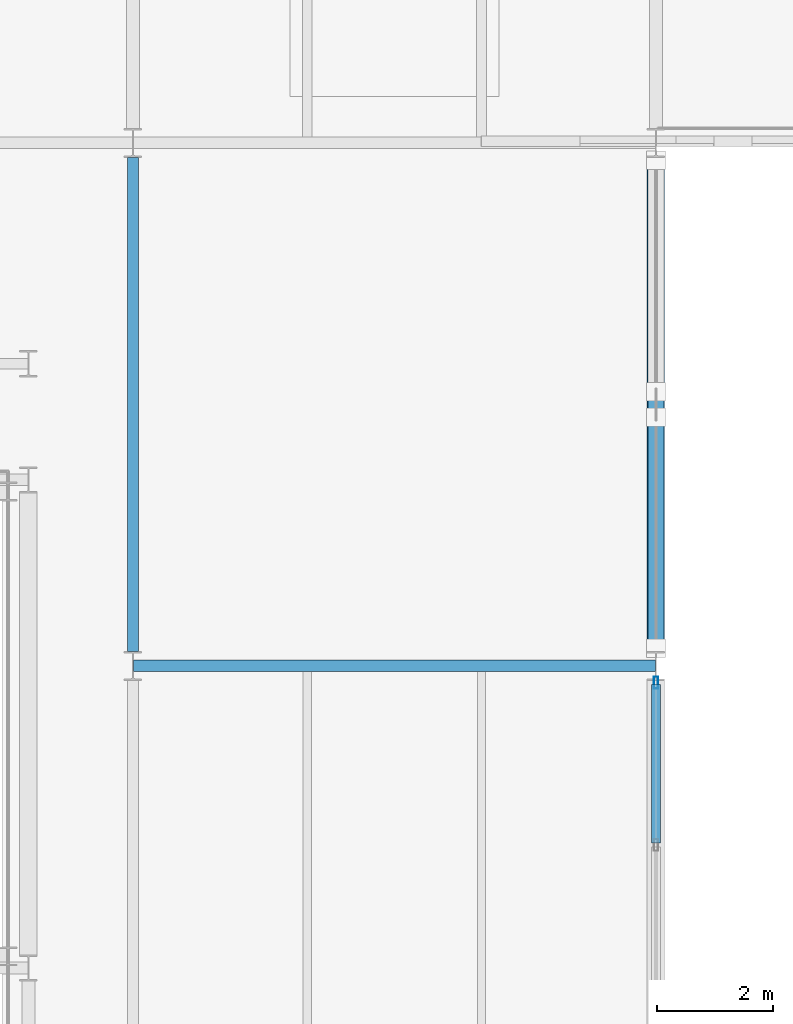
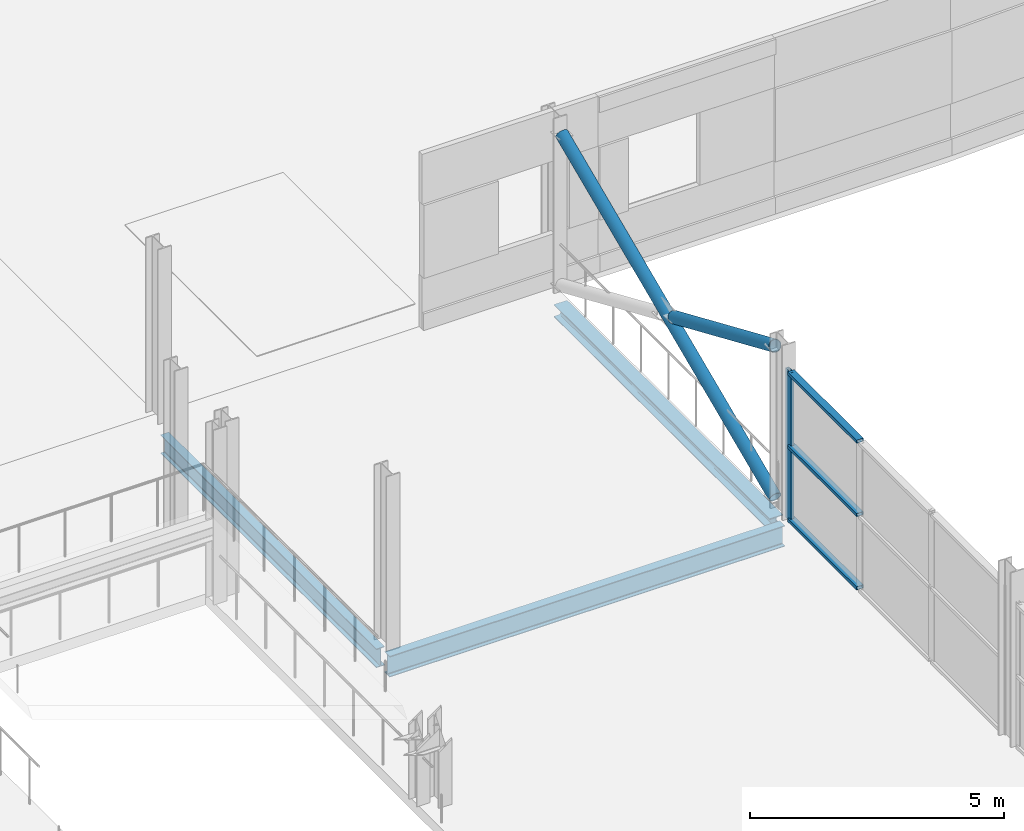
# One storey, part 84 of 140: 6 members, 3 beams, 1 element without a shape of its own.
"""IFC4 building model written with IfcOpenShell, lengths in metres."""

from ifc_helpers import new_model, si_unit, direction, frame, origin, origin_2d, place, context, subcontext, project, spatial, hollow_rectangle, hollow_circle, i_section, extrude, material, layer, layer_set, material_profile, profile_set, type_object, element, aggregate, save


model = new_model("IFC4")

# Units and contexts
model_context = context("Model", 3, precision=1e-05, world=origin(), true_north=direction((0.0, 1.0)))
body_context = subcontext(model_context, "Body", "Model", "MODEL_VIEW")
ifc_project = project(units=[si_unit("LENGTHUNIT", "METRE"), si_unit("AREAUNIT", "SQUARE_METRE"), si_unit("VOLUMEUNIT", "CUBIC_METRE"), si_unit("PLANEANGLEUNIT", "RADIAN"), si_unit("MASSUNIT", "GRAM", prefix="KILO")], contexts=[model_context])

# Site, building, storey
site_placement = place(None, origin())
site = spatial("IfcSite", under=ifc_project, at=site_placement, CompositionType="ELEMENT")
building_placement = place(site_placement, origin())
building = spatial("IfcBuilding", under=site, at=building_placement, Name="Deido Ridge Mobility Hub", CompositionType="ELEMENT")
storey_placement = place(building_placement, origin())
storey = spatial("IfcBuildingStorey", under=building, at=storey_placement, Name="L00", CompositionType="ELEMENT", Elevation=0.0)

# Beams
ifc_material_1 = material(Name="Steel S355J2 EN 10025-2", Category="steel")
ifc_material_profile_1 = material_profile(ifc_material_1, i_section(OverallWidth=0.18994140625, OverallDepth=0.449951171875, WebThickness=0.009521484375, FlangeThickness=0.0146484375, FilletRadius=0.02099609375, at=origin_2d()), Name="IPE 450")
ifc_profile_set_1 = profile_set([ifc_material_profile_1], Name="Steel S355J2 EN 10025-2")
beam_type_1 = type_object("IfcBeamType", Name="BM-IPE450", PredefinedType="BEAM", material=ifc_profile_set_1)
beam_1_placement = place(storey_placement, frame((99.0, 72.25, -0.485107421875), z_axis=(0.0, 1.0, 0.0), x_axis=(-1.0, 0.0, 0.0)))
element("IfcBeam", 1, at=beam_1_placement, inside=storey, type_object=beam_type_1, Name="Floor beam B4", PredefinedType="BEAM", context=body_context, shape_type="SweptSolid", body=[
    extrude(i_section(OverallWidth=0.18994140625, OverallDepth=0.449951171875, WebThickness=0.009521484375, FlangeThickness=0.0146484375, FilletRadius=0.02099609375, at=origin_2d()), origin(), (0.0, 0.0, 1.0), 8.5),
])
ifc_material_profile_2 = material_profile(ifc_material_1, i_section(OverallWidth=0.199951171875, OverallDepth=0.5, WebThickness=0.01025390625, FlangeThickness=0.01611328125, FilletRadius=0.02099609375, at=origin_2d()), Name="IPE 500")
ifc_profile_set_2 = profile_set([ifc_material_profile_2], Name="Steel S355J2 EN 10025-2")
beam_type_2 = type_object("IfcBeamType", Name="BM-IPE500", PredefinedType="BEAM", material=ifc_profile_set_2)
beam_2_placement = place(storey_placement, frame((99.007080078125, 72.0, -0.510009765625), z_axis=(1.0, 0.0, 0.0), x_axis=(0.0, 1.0, 0.0)))
element("IfcBeam", 2, at=beam_2_placement, inside=storey, type_object=beam_type_2, Name="Floor beam B3", PredefinedType="BEAM", context=body_context, shape_type="SweptSolid", body=[
    extrude(i_section(OverallWidth=0.199951171875, OverallDepth=0.5, WebThickness=0.01025390625, FlangeThickness=0.01611328125, FilletRadius=0.02099609375, at=origin_2d()), origin(), (0.0, 0.0, 1.0), 8.98583984375),
])

# Members
ifc_material_2 = material(Name="Steel S355J2H EN 10210-1", Category="steel")
ifc_material_profile_3 = material_profile(ifc_material_2, hollow_circle(Radius=0.136474609375, WallThickness=0.012451171875, at=origin_2d()), Name="CHS 273x12.5")
ifc_profile_set_3 = profile_set([ifc_material_profile_3], Name="Steel S355J2H EN 10210-1")
member_type_1 = type_object("IfcMemberType", Name="MEM-BRC-CHS273", PredefinedType="BRACE", material=ifc_profile_set_3)
member_1_placement = place(storey_placement, frame((108.0, 72.300048828125, 0.179931640625), z_axis=(0.0, 0.91754849034, 0.397623902545), x_axis=(-1.0, 0.0, 0.0)))
element("IfcMember", 3, at=member_1_placement, inside=storey, type_object=member_type_1, Name="Continuous X-brace diagonal BR1", PredefinedType="BRACE", context=body_context, shape_type="SweptSolid", body=[
    extrude(hollow_circle(Radius=0.136474609375, WallThickness=0.012451171875, at=origin_2d()), origin(), (0.0, 0.0, 1.0), 9.15478515625),
])
member_2_placement = place(storey_placement, frame((108.0, 76.27978515625, 2.095458984375), z_axis=(0.0, -0.917550833654, 0.397618495119), x_axis=(1.0, 0.0, 0.0)))
element("IfcMember", 4, at=member_2_placement, inside=storey, type_object=member_type_1, Name="Split X-brace diagonal segment BR1", PredefinedType="BRACE", context=body_context, shape_type="SweptSolid", body=[
    extrude(hollow_circle(Radius=0.136474609375, WallThickness=0.012451171875, at=origin_2d()), origin(), (0.0, 0.0, 1.0), 4.33740234375),
])

# Curtain wall, members
ifc_material_3 = material(Name="Anodised aluminium EN AW-6063 T6", Category="aluminium")
ifc_layer = layer(ifc_material_3, 0.2099609375, Name="Anodised aluminium EN AW-6063 T6")
ifc_layer_set = layer_set([ifc_layer], Name="Anodised aluminium EN AW-6063 T6")
curtain_wall_type = type_object("IfcCurtainWallType", Name="CW-UF-4", PredefinedType="USERDEFINED", material=ifc_layer_set)
curtain_wall_placement = place(storey_placement, origin())
curtain_wall = element("IfcCurtainWall", 5, at=curtain_wall_placement, inside=storey, type_object=curtain_wall_type, Name="Unitised curtain wall CW4", ObjectType="UNITISED FACADE", PredefinedType="USERDEFINED")
ifc_material_profile_4 = material_profile(ifc_material_3, hollow_rectangle(XDim=0.074951171875, YDim=0.205078125, WallThickness=0.00390625, at=origin_2d()), Name="RHS 75x205x4")
ifc_profile_set_4 = profile_set([ifc_material_profile_4], Name="Anodised aluminium EN AW-6063 T6")
member_type_2 = type_object("IfcMemberType", Name="MEM-MUL-75X205", PredefinedType="MULLION", material=ifc_profile_set_4)
member_3_placement = place(storey_placement, frame((108.0, 71.71240234375, 0.0), z_axis=(0.0, 0.0, 1.0), x_axis=(-1.0, 0.0, 0.0)))
member_3 = element("IfcMember", 6, at=member_3_placement, type_object=member_type_2, Name="CW4 mullion 4", PredefinedType="MULLION", context=body_context, shape_type="SweptSolid", body=[
    extrude(hollow_rectangle(XDim=0.074951171875, YDim=0.205078125, WallThickness=0.00390625, at=origin_2d()), origin(), (0.0, 0.0, 1.0), 3.60009765625),
])
ifc_material_profile_5 = material_profile(ifc_material_3, hollow_rectangle(XDim=0.155029296875, YDim=0.074951171875, WallThickness=0.00390625, at=origin_2d()), Name="RHS 155x75x4")
ifc_profile_set_5 = profile_set([ifc_material_profile_5], Name="Anodised aluminium EN AW-6063 T6")
member_type_3 = type_object("IfcMemberType", Name="MEM-TRN-155X75", PredefinedType="USERDEFINED", material=ifc_profile_set_5)
member_4_placement = place(storey_placement, frame((108.0, 68.9541015625, 0.03759765625), z_axis=(0.0, 1.0, 0.0), x_axis=(-1.0, 0.0, 0.0)))
member_4 = element("IfcMember", 7, at=member_4_placement, type_object=member_type_3, Name="CW4 transom 3.1", ObjectType="TRANSOM", PredefinedType="USERDEFINED", context=body_context, shape_type="SweptSolid", body=[
    extrude(hollow_rectangle(XDim=0.155029296875, YDim=0.074951171875, WallThickness=0.00390625, at=origin_2d()), origin(), (0.0, 0.0, 1.0), 2.720947265625),
])
member_5_placement = place(storey_placement, frame((108.0, 68.9541015625, 1.800048828125), z_axis=(0.0, 1.0, 0.0), x_axis=(-1.0, 0.0, 0.0)))
member_5 = element("IfcMember", 8, at=member_5_placement, type_object=member_type_3, Name="CW4 transom 3.2", ObjectType="TRANSOM", PredefinedType="USERDEFINED", context=body_context, shape_type="SweptSolid", body=[
    extrude(hollow_rectangle(XDim=0.155029296875, YDim=0.074951171875, WallThickness=0.00390625, at=origin_2d()), origin(), (0.0, 0.0, 1.0), 2.720947265625),
])
member_6_placement = place(storey_placement, frame((108.0, 68.9541015625, 3.5625), z_axis=(0.0, 1.0, 0.0), x_axis=(-1.0, 0.0, 0.0)))
member_6 = element("IfcMember", 9, at=member_6_placement, type_object=member_type_3, Name="CW4 transom 3.3", ObjectType="TRANSOM", PredefinedType="USERDEFINED", context=body_context, shape_type="SweptSolid", body=[
    extrude(hollow_rectangle(XDim=0.155029296875, YDim=0.074951171875, WallThickness=0.00390625, at=origin_2d()), origin(), (0.0, 0.0, 1.0), 2.720947265625),
])
aggregate(curtain_wall, [member_3, member_4, member_5, member_6])

# Beam
ifc_material_profile_6 = material_profile(ifc_material_1, i_section(OverallWidth=0.300048828125, OverallDepth=0.300048828125, WebThickness=0.010986328125, FlangeThickness=0.01904296875, FilletRadius=0.027099609375, at=origin_2d()), Name="HEB 300")
ifc_profile_set_6 = profile_set([ifc_material_profile_6], Name="Steel S355J2 EN 10025-2")
beam_type_3 = type_object("IfcBeamType", Name="SPD-HEB300", PredefinedType="SPANDREL", material=ifc_profile_set_6)
beam_3_placement = place(storey_placement, frame((108.0, 72.25, -0.409912109375), z_axis=(0.0, 1.0, 0.0), x_axis=(-1.0, 0.0, 0.0)))
element("IfcBeam", 10, at=beam_3_placement, inside=storey, type_object=beam_type_3, Name="Floor beam SP1", PredefinedType="SPANDREL", context=body_context, shape_type="SweptSolid", body=[
    extrude(i_section(OverallWidth=0.300048828125, OverallDepth=0.300048828125, WebThickness=0.010986328125, FlangeThickness=0.01904296875, FilletRadius=0.027099609375, at=origin_2d()), origin(), (0.0, 0.0, 1.0), 8.5),
])

save(model, "model.ifc")
